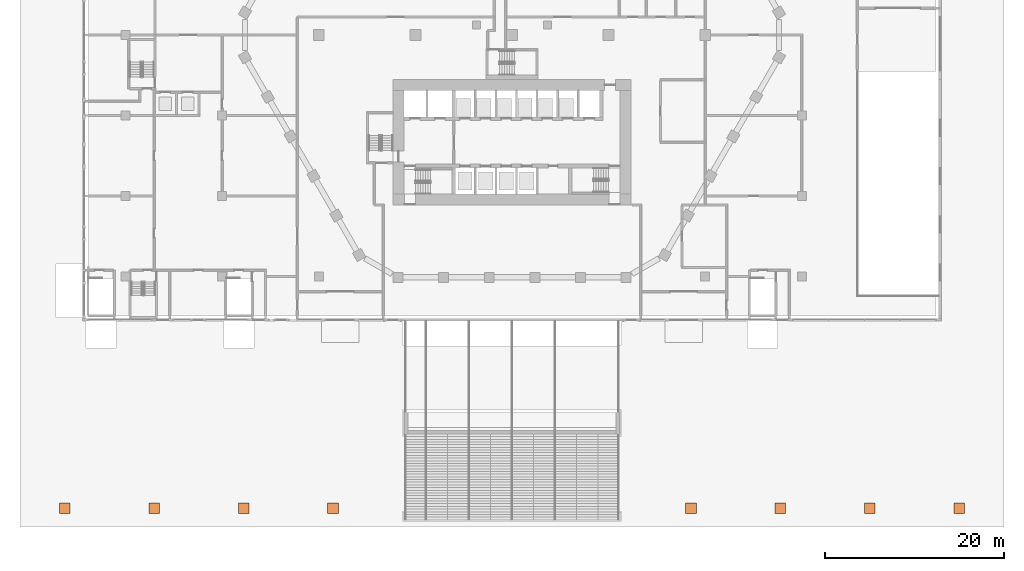
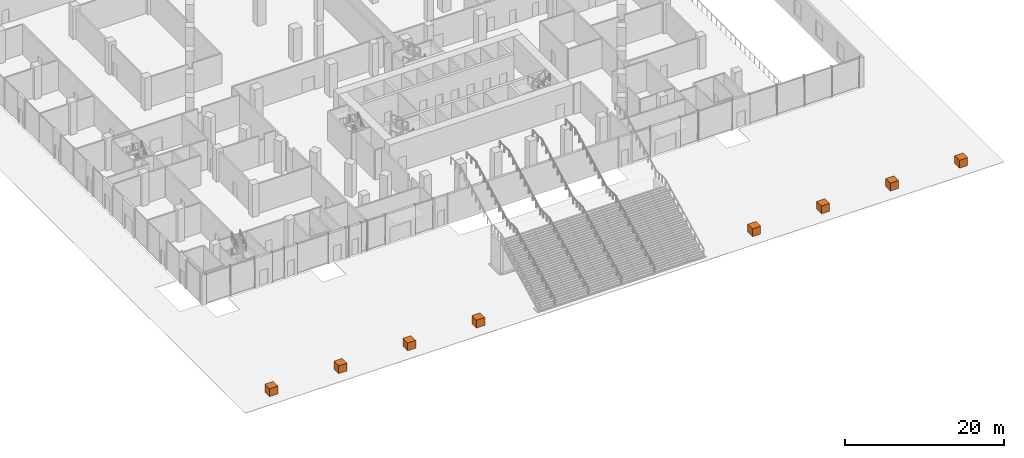
# One storey, part 57 of 57: 8 proxies.
"""IFC4 building model written with IfcOpenShell, lengths in metres."""

from ifc_helpers import new_model, si_unit, direction, origin, place, context, subcontext, project, spatial, polyline, outline, extrude, material, type_object, element, save


model = new_model("IFC4")

# Units and contexts
model_context = context("Model", 3, precision=1e-05, world=origin(), true_north=direction((0.0, 1.0)))
body_context = subcontext(model_context, "Body", "Model", "MODEL_VIEW")
ifc_project = project(units=[si_unit("LENGTHUNIT", "METRE"), si_unit("AREAUNIT", "SQUARE_METRE"), si_unit("VOLUMEUNIT", "CUBIC_METRE"), si_unit("PLANEANGLEUNIT", "RADIAN"), si_unit("MASSUNIT", "GRAM", prefix="KILO")], contexts=[model_context])

# Site, building, storey
site_placement = place(None, origin())
site = spatial("IfcSite", under=ifc_project, at=site_placement, CompositionType="ELEMENT")
building_placement = place(site_placement, origin())
building = spatial("IfcBuilding", under=site, at=building_placement, Name="Beryl Residences", CompositionType="ELEMENT")
storey_placement = place(building_placement, origin())
storey = spatial("IfcBuildingStorey", under=building, at=storey_placement, Name="L00", CompositionType="ELEMENT", Elevation=0.0)

# Proxies
ifc_material = material(Name="Planting soil in precast concrete C40/50 trough", Category="concrete")
building_element_proxy_type = type_object("IfcBuildingElementProxyType", Name="PL2 tree planter 1200 mm", PredefinedType="USERDEFINED", material=ifc_material)
proxy_1_placement = place(storey_placement, origin())
element("IfcBuildingElementProxy", 1, at=proxy_1_placement, inside=storey, type_object=building_element_proxy_type, Name="PL2 street tree planter 1", ObjectType="PLANTER", PredefinedType="USERDEFINED", context=body_context, shape_type="SweptSolid", body=[
    extrude(outline(polyline([(-49.39990234375, -53.5), (-49.39990234375, -52.300048828125), (-50.60009765625, -52.300048828125), (-50.60009765625, -53.5), (-49.39990234375, -53.5)])), origin(), (0.0, 0.0, 1.0), 1.199951171875),
])
proxy_2_placement = place(storey_placement, origin())
element("IfcBuildingElementProxy", 2, at=proxy_2_placement, inside=storey, type_object=building_element_proxy_type, Name="PL2 street tree planter 2", ObjectType="PLANTER", PredefinedType="USERDEFINED", context=body_context, shape_type="SweptSolid", body=[
    extrude(outline(polyline([(-39.39990234375, -53.5), (-39.39990234375, -52.300048828125), (-40.60009765625, -52.300048828125), (-40.60009765625, -53.5), (-39.39990234375, -53.5)])), origin(), (0.0, 0.0, 1.0), 1.199951171875),
])
proxy_3_placement = place(storey_placement, origin())
element("IfcBuildingElementProxy", 3, at=proxy_3_placement, inside=storey, type_object=building_element_proxy_type, Name="PL2 street tree planter 3", ObjectType="PLANTER", PredefinedType="USERDEFINED", context=body_context, shape_type="SweptSolid", body=[
    extrude(outline(polyline([(-29.39990234375, -53.5), (-29.39990234375, -52.300048828125), (-30.60009765625, -52.300048828125), (-30.60009765625, -53.5), (-29.39990234375, -53.5)])), origin(), (0.0, 0.0, 1.0), 1.199951171875),
])
proxy_4_placement = place(storey_placement, origin())
element("IfcBuildingElementProxy", 4, at=proxy_4_placement, inside=storey, type_object=building_element_proxy_type, Name="PL2 street tree planter 4", ObjectType="PLANTER", PredefinedType="USERDEFINED", context=body_context, shape_type="SweptSolid", body=[
    extrude(outline(polyline([(-19.39990234375, -53.5), (-19.39990234375, -52.300048828125), (-20.60009765625, -52.300048828125), (-20.60009765625, -53.5), (-19.39990234375, -53.5)])), origin(), (0.0, 0.0, 1.0), 1.199951171875),
])
proxy_5_placement = place(storey_placement, origin())
element("IfcBuildingElementProxy", 5, at=proxy_5_placement, inside=storey, type_object=building_element_proxy_type, Name="PL2 street tree planter 5", ObjectType="PLANTER", PredefinedType="USERDEFINED", context=body_context, shape_type="SweptSolid", body=[
    extrude(outline(polyline([(20.60009765625, -53.5), (20.60009765625, -52.300048828125), (19.39990234375, -52.300048828125), (19.39990234375, -53.5), (20.60009765625, -53.5)])), origin(), (0.0, 0.0, 1.0), 1.199951171875),
])
proxy_6_placement = place(storey_placement, origin())
element("IfcBuildingElementProxy", 6, at=proxy_6_placement, inside=storey, type_object=building_element_proxy_type, Name="PL2 street tree planter 6", ObjectType="PLANTER", PredefinedType="USERDEFINED", context=body_context, shape_type="SweptSolid", body=[
    extrude(outline(polyline([(30.60009765625, -53.5), (30.60009765625, -52.300048828125), (29.39990234375, -52.300048828125), (29.39990234375, -53.5), (30.60009765625, -53.5)])), origin(), (0.0, 0.0, 1.0), 1.199951171875),
])
proxy_7_placement = place(storey_placement, origin())
element("IfcBuildingElementProxy", 7, at=proxy_7_placement, inside=storey, type_object=building_element_proxy_type, Name="PL2 street tree planter 7", ObjectType="PLANTER", PredefinedType="USERDEFINED", context=body_context, shape_type="SweptSolid", body=[
    extrude(outline(polyline([(40.60009765625, -53.5), (40.60009765625, -52.300048828125), (39.39990234375, -52.300048828125), (39.39990234375, -53.5), (40.60009765625, -53.5)])), origin(), (0.0, 0.0, 1.0), 1.199951171875),
])
proxy_8_placement = place(storey_placement, origin())
element("IfcBuildingElementProxy", 8, at=proxy_8_placement, inside=storey, type_object=building_element_proxy_type, Name="PL2 street tree planter 8", ObjectType="PLANTER", PredefinedType="USERDEFINED", context=body_context, shape_type="SweptSolid", body=[
    extrude(outline(polyline([(50.60009765625, -53.5), (50.60009765625, -52.300048828125), (49.39990234375, -52.300048828125), (49.39990234375, -53.5), (50.60009765625, -53.5)])), origin(), (0.0, 0.0, 1.0), 1.199951171875),
])

save(model, "model.ifc")
